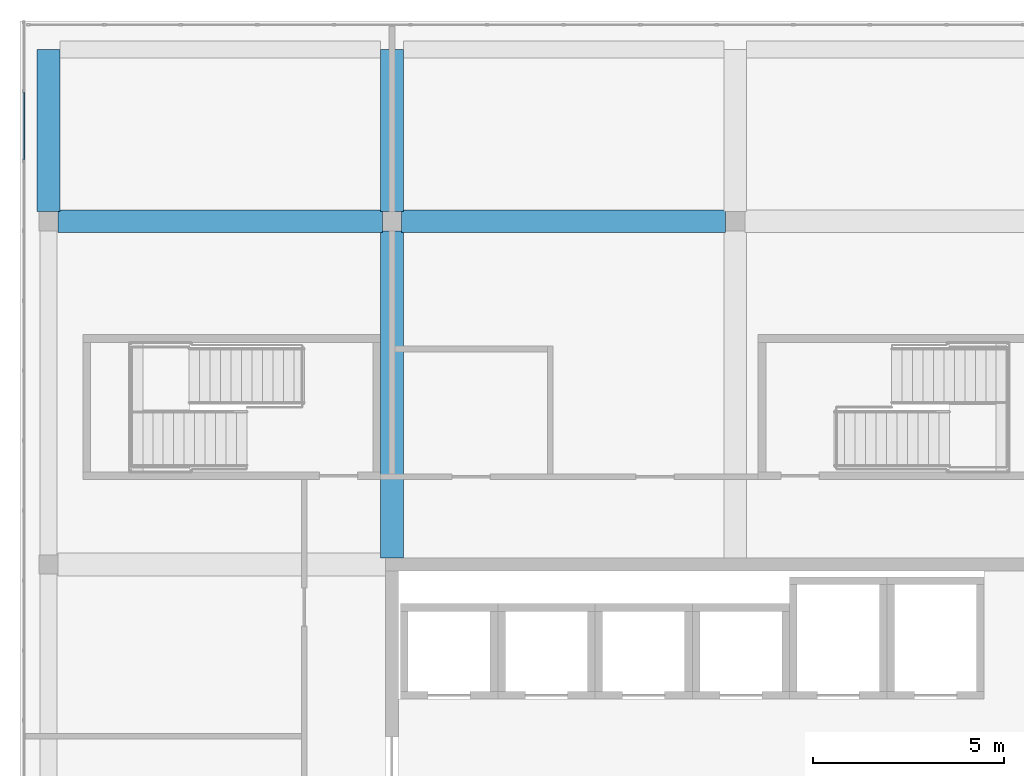
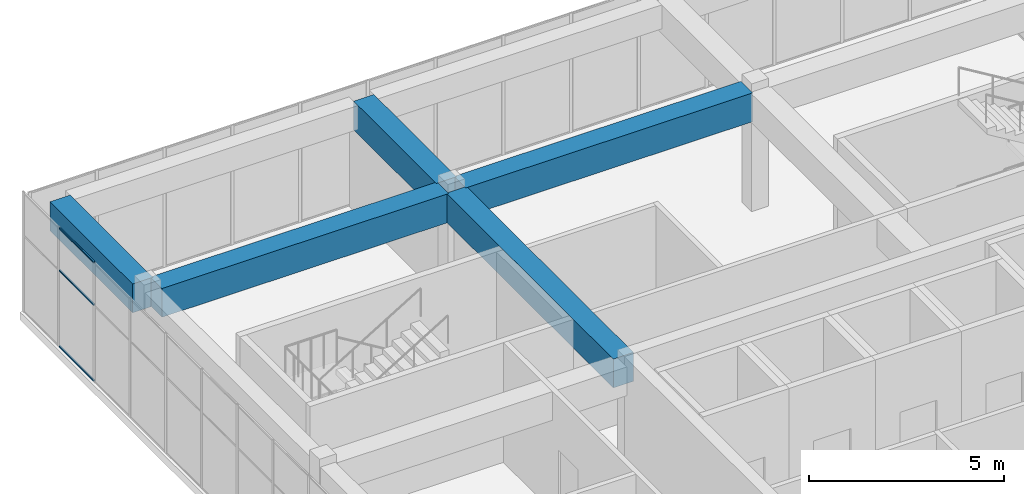
# One storey, part 21 of 34: 5 beams, 3 members, 1 element without a shape of its own.
"""IFC4 building model written with IfcOpenShell, lengths in metres."""

from ifc_helpers import new_model, si_unit, direction, frame, origin, origin_2d, place, context, subcontext, project, spatial, rectangle, hollow_rectangle, extrude, material, layer, layer_set, material_profile, profile_set, type_object, element, aggregate, save


model = new_model("IFC4")

# Units and contexts
model_context = context("Model", 3, precision=1e-05, world=origin(), true_north=direction((0.0, 1.0)))
body_context = subcontext(model_context, "Body", "Model", "MODEL_VIEW")
ifc_project = project(units=[si_unit("LENGTHUNIT", "METRE"), si_unit("AREAUNIT", "SQUARE_METRE"), si_unit("VOLUMEUNIT", "CUBIC_METRE"), si_unit("PLANEANGLEUNIT", "RADIAN"), si_unit("MASSUNIT", "GRAM", prefix="KILO")], contexts=[model_context])

# Site, building, storey
site_placement = place(None, origin())
site = spatial("IfcSite", under=ifc_project, at=site_placement, CompositionType="ELEMENT")
building_placement = place(site_placement, origin())
building = spatial("IfcBuilding", under=site, at=building_placement, Name="Tuart Plaza Theatre", CompositionType="ELEMENT")
storey_placement = place(building_placement, frame((0.0, 0.0, 57.5)))
storey = spatial("IfcBuildingStorey", under=building, at=storey_placement, Name="L14", CompositionType="ELEMENT", Elevation=57.5)

# Beams
ifc_material_1 = material(Name="Concrete N40 (40 MPa)", Category="concrete")
ifc_material_profile_1 = material_profile(ifc_material_1, rectangle(XDim=0.60009765625, YDim=0.89990234375, at=origin_2d()), Name="BEAM 600x900 Concrete N40 (40 MPa)")
ifc_profile_set_1 = profile_set([ifc_material_profile_1], Name="Concrete N40 (40 MPa)")
beam_type = type_object("IfcBeamType", Name="BEAM 600x900 Concrete N40 (40 MPa)", PredefinedType="BEAM", material=ifc_profile_set_1)
beam_1_placement = place(storey_placement, frame((114.0, 92.25, 3.300048828125), z_axis=(0.0, 1.0, 0.0), x_axis=(-1.0, 0.0, 0.0)))
element("IfcBeam", 1, at=beam_1_placement, inside=storey, type_object=beam_type, Name="RB324", PredefinedType="BEAM", context=body_context, shape_type="SweptSolid", body=[
    extrude(rectangle(XDim=0.60009765625, YDim=0.89990234375, at=origin_2d()), origin(), (0.0, 0.0, 1.0), 4.25),
])
beam_2_placement = place(storey_placement, frame((114.25, 92.0, 3.300048828125), z_axis=(1.0, 0.0, 0.0), x_axis=(0.0, 1.0, 0.0)))
element("IfcBeam", 2, at=beam_2_placement, inside=storey, type_object=beam_type, Name="RB325", PredefinedType="BEAM", context=body_context, shape_type="SweptSolid", body=[
    extrude(rectangle(XDim=0.60009765625, YDim=0.89990234375, at=origin_2d()), origin(), (0.0, 0.0, 1.0), 8.5),
])
beam_3_placement = place(storey_placement, frame((123.0, 83.175048828125, 3.300048828125), z_axis=(0.0, 1.0, 0.0), x_axis=(-1.0, 0.0, 0.0)))
element("IfcBeam", 3, at=beam_3_placement, inside=storey, type_object=beam_type, Name="RB329", PredefinedType="BEAM", context=body_context, shape_type="SweptSolid", body=[
    extrude(rectangle(XDim=0.60009765625, YDim=0.89990234375, at=origin_2d()), origin(), (0.0, 0.0, 1.0), 8.574951171875),
])
beam_4_placement = place(storey_placement, frame((123.0, 92.25, 3.300048828125), z_axis=(0.0, 1.0, 0.0), x_axis=(-1.0, 0.0, 0.0)))
element("IfcBeam", 4, at=beam_4_placement, inside=storey, type_object=beam_type, Name="RB330", PredefinedType="BEAM", context=body_context, shape_type="SweptSolid", body=[
    extrude(rectangle(XDim=0.60009765625, YDim=0.89990234375, at=origin_2d()), origin(), (0.0, 0.0, 1.0), 4.25),
])
beam_5_placement = place(storey_placement, frame((123.25, 92.0, 3.300048828125), z_axis=(1.0, 0.0, 0.0), x_axis=(0.0, 1.0, 0.0)))
element("IfcBeam", 5, at=beam_5_placement, inside=storey, type_object=beam_type, Name="RB331", PredefinedType="BEAM", context=body_context, shape_type="SweptSolid", body=[
    extrude(rectangle(XDim=0.60009765625, YDim=0.89990234375, at=origin_2d()), origin(), (0.0, 0.0, 1.0), 8.5),
])

# Curtain wall, members
ifc_material_2 = material(Name="Aluminium and glass", Category="aluminium")
ifc_layer = layer(ifc_material_2, 0.10009765625)
ifc_layer_set = layer_set([ifc_layer], Name="CURTAIN WALL 1800 module")
curtain_wall_type = type_object("IfcCurtainWallType", Name="CURTAIN WALL 1800 module", PredefinedType="NOTDEFINED", material=ifc_layer_set)
curtain_wall_placement = place(storey_placement, origin())
curtain_wall = element("IfcCurtainWall", 6, at=curtain_wall_placement, inside=storey, type_object=curtain_wall_type, Name="CW118", PredefinedType="NOTDEFINED")
ifc_material_3 = material(Name="Aluminium 6063-T5", Category="aluminium")
ifc_material_profile_2 = material_profile(ifc_material_3, hollow_rectangle(XDim=0.050048828125, YDim=0.050048828125, WallThickness=0.00390625, InnerFilletRadius=0.00390625, OuterFilletRadius=0.008056640625, at=origin_2d()), Name="RHS 50x50x4")
ifc_profile_set_2 = profile_set([ifc_material_profile_2], Name="Aluminium 6063-T5")
member_type = type_object("IfcMemberType", Name="TRANSOM RHS 50x50x4", PredefinedType="USERDEFINED", material=ifc_profile_set_2)
member_1_placement = place(storey_placement, frame((113.35009765625, 95.3916015625, 0.02490234375), z_axis=(0.0, -1.0, 0.0), x_axis=(1.0, 0.0, 0.0)))
member_1 = element("IfcMember", 7, at=member_1_placement, type_object=member_type, Name="CW118 transom 2.1", ObjectType="TRANSOM", PredefinedType="USERDEFINED", context=body_context, shape_type="SweptSolid", body=[
    extrude(hollow_rectangle(XDim=0.050048828125, YDim=0.050048828125, WallThickness=0.00390625, InnerFilletRadius=0.00390625, OuterFilletRadius=0.008056640625, at=origin_2d()), origin(), (0.0, 0.0, 1.0), 1.783203125),
])
member_2_placement = place(storey_placement, frame((113.35009765625, 95.3916015625, 2.39990234375), z_axis=(0.0, -1.0, 0.0), x_axis=(1.0, 0.0, 0.0)))
member_2 = element("IfcMember", 8, at=member_2_placement, type_object=member_type, Name="CW118 transom 2.2", ObjectType="TRANSOM", PredefinedType="USERDEFINED", context=body_context, shape_type="SweptSolid", body=[
    extrude(hollow_rectangle(XDim=0.050048828125, YDim=0.050048828125, WallThickness=0.00390625, InnerFilletRadius=0.00390625, OuterFilletRadius=0.008056640625, at=origin_2d()), origin(), (0.0, 0.0, 1.0), 1.783203125),
])
member_3_placement = place(storey_placement, frame((113.35009765625, 95.3916015625, 3.72509765625), z_axis=(0.0, -1.0, 0.0), x_axis=(1.0, 0.0, 0.0)))
member_3 = element("IfcMember", 9, at=member_3_placement, type_object=member_type, Name="CW118 transom 2.3", ObjectType="TRANSOM", PredefinedType="USERDEFINED", context=body_context, shape_type="SweptSolid", body=[
    extrude(hollow_rectangle(XDim=0.050048828125, YDim=0.050048828125, WallThickness=0.00390625, InnerFilletRadius=0.00390625, OuterFilletRadius=0.008056640625, at=origin_2d()), origin(), (0.0, 0.0, 1.0), 1.783203125),
])
aggregate(curtain_wall, [member_1, member_2, member_3])

save(model, "model.ifc")
